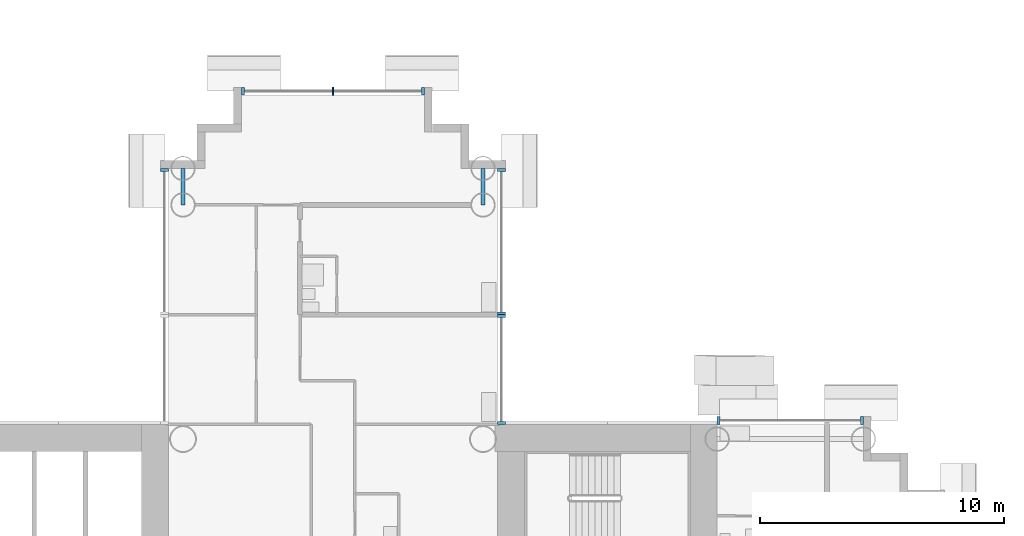
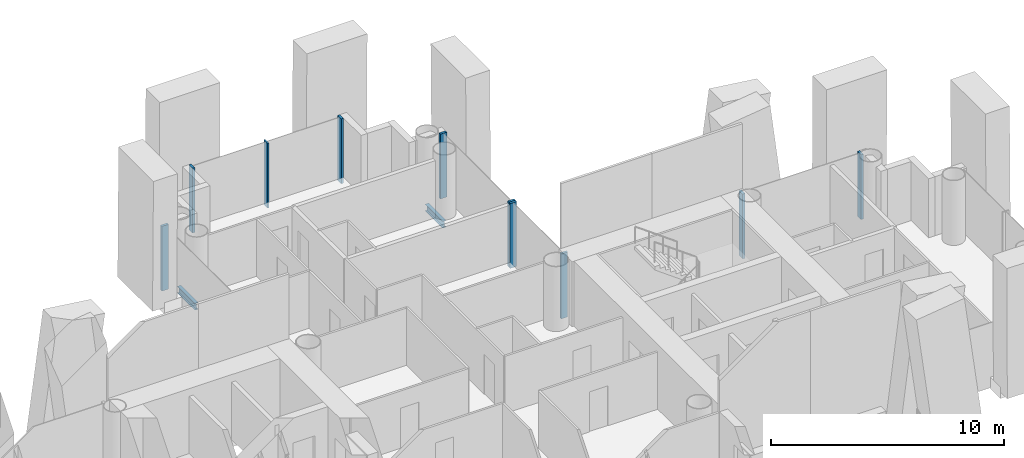
# One storey, part 5 of 23: 10 members, 2 beams, 5 elements without a shape of their own.
"""IFC4 building model written with IfcOpenShell, lengths in metres."""

from ifc_helpers import new_model, si_unit, direction, frame, origin, origin_2d, place, context, subcontext, project, spatial, rectangle, i_section, extrude, material, layer, layer_set, material_profile, profile_set, type_object, element, aggregate, save


model = new_model("IFC4")

# Units and contexts
model_context = context("Model", 3, precision=1e-05, world=origin(), true_north=direction((0.0, 1.0)))
body_context = subcontext(model_context, "Body", "Model", "MODEL_VIEW")
ifc_project = project(units=[si_unit("LENGTHUNIT", "METRE"), si_unit("AREAUNIT", "SQUARE_METRE"), si_unit("VOLUMEUNIT", "CUBIC_METRE"), si_unit("PLANEANGLEUNIT", "RADIAN"), si_unit("MASSUNIT", "GRAM", prefix="KILO")], contexts=[model_context])

# Site, building, storey
site_placement = place(None, origin())
site = spatial("IfcSite", under=ifc_project, at=site_placement, CompositionType="ELEMENT")
building_placement = place(site_placement, origin())
building = spatial("IfcBuilding", under=site, at=building_placement, Name="Ipe Terrace Towers", CompositionType="ELEMENT")
storey_placement = place(building_placement, frame((0.0, 0.0, 44.89990234375)))
storey = spatial("IfcBuildingStorey", under=building, at=storey_placement, Name="L11", CompositionType="ELEMENT", Elevation=44.89990234375)

# Beams
ifc_material_1 = material(Name="Steel S355", Category="steel")
ifc_material_profile_1 = material_profile(ifc_material_1, i_section(OverallWidth=0.175048828125, OverallDepth=0.35009765625, WebThickness=0.007080078125, FlangeThickness=0.010986328125, at=origin_2d()), Name="H-350x175x7x11")
ifc_profile_set_1 = profile_set([ifc_material_profile_1], Name="Steel S355")
beam_type = type_object("IfcBeamType", Name="H04 EDGE BEAM H-350x175x7x11", PredefinedType="BEAM", material=ifc_profile_set_1)
for number, where, z_axis, x_axis, name in (
    (1, (-29.85009765625, 15.75, -0.574951171875), (0.0, 1.0, 0.0), (-1.0, 0.0, 0.0), "Edge beam T1-EB-B03-B05"),
    (2, (-42.14990234375, 15.75, -0.574951171875), (0.0, 1.0, 0.0), (-1.0, 0.0, 0.0), "Edge beam T1-EB-B04-B06"),
):
    element("IfcBeam", number, at=place(storey_placement, frame(where, z_axis=z_axis, x_axis=x_axis)), inside=storey, type_object=beam_type, Name=name, PredefinedType="BEAM", context=body_context, shape_type="SweptSolid", body=[
        extrude(i_section(OverallWidth=0.175048828125, OverallDepth=0.35009765625, WebThickness=0.007080078125, FlangeThickness=0.010986328125, at=origin_2d()), origin(), (0.0, 0.0, 1.0), 1.5),
    ])

# Curtain wall, members
ifc_material_2 = material(Name="Aluminium alloy 6063-T6", Category="aluminium")
ifc_layer = layer(ifc_material_2, 0.320068359375)
ifc_layer_set = layer_set([ifc_layer], Name="TOWER UNITISED CURTAIN WALL")
curtain_wall_type = type_object("IfcCurtainWallType", Name="TOWER UNITISED CURTAIN WALL", PredefinedType="NOTDEFINED", material=ifc_layer_set)
curtain_wall_1_placement = place(storey_placement, origin())
curtain_wall_1 = element("IfcCurtainWall", 3, at=curtain_wall_1_placement, inside=storey, type_object=curtain_wall_type, Name="T1-CW-L11-30a curtain wall", PredefinedType="NOTDEFINED")
ifc_material_3 = material(Name="Aluminium alloy 6063-T6", Category="aluminium")
ifc_material_profile_2 = material_profile(ifc_material_3, rectangle(XDim=0.320068359375, YDim=0.1201171875, at=origin_2d()), Name="TOWER UNITISED CORNER MULLION 320 x 120")
ifc_profile_set_2 = profile_set([ifc_material_profile_2], Name="Aluminium alloy 6063-T6")
member_type_1 = type_object("IfcMemberType", Name="TOWER UNITISED CORNER MULLION 320 x 120", PredefinedType="MULLION", material=ifc_profile_set_2)
member_1_placement = place(storey_placement, frame((-14.31005859375, 6.909912109375, -0.2998046875), z_axis=(0.0, 0.0, 1.0), x_axis=(0.0, 1.0, 0.0)))
member_1 = element("IfcMember", 4, at=member_1_placement, type_object=member_type_1, Name="T1-CW-L11-30a mullion 1", PredefinedType="MULLION", context=body_context, shape_type="SweptSolid", body=[
    extrude(rectangle(XDim=0.320068359375, YDim=0.1201171875, at=origin_2d()), origin(), (0.0, 0.0, 1.0), 3.39990234375),
])
member_2_placement = place(storey_placement, frame((-20.18896484375, 6.909912109375, -0.2998046875), z_axis=(0.0, 0.0, 1.0), x_axis=(0.0, 1.0, 0.0)))
member_2 = element("IfcMember", 5, at=member_2_placement, type_object=member_type_1, Name="T1-CW-L11-30a mullion 2", PredefinedType="MULLION", context=body_context, shape_type="SweptSolid", body=[
    extrude(rectangle(XDim=0.320068359375, YDim=0.1201171875, at=origin_2d()), origin(), (0.0, 0.0, 1.0), 3.39990234375),
])
aggregate(curtain_wall_1, [member_1, member_2])

curtain_wall_2_placement = place(storey_placement, origin())
curtain_wall_2 = element("IfcCurtainWall", 6, at=curtain_wall_2_placement, inside=storey, type_object=curtain_wall_type, Name="T1-CW-L11-32a curtain wall", PredefinedType="NOTDEFINED")
member_3_placement = place(storey_placement, frame((-29.090087890625, 6.81005859375, -0.2998046875), z_axis=(0.0, 0.0, 1.0), x_axis=(1.0, 0.0, 0.0)))
member_3 = element("IfcMember", 7, at=member_3_placement, type_object=member_type_1, Name="T1-CW-L11-32a mullion 1", PredefinedType="MULLION", context=body_context, shape_type="SweptSolid", body=[
    extrude(rectangle(XDim=0.320068359375, YDim=0.1201171875, at=origin_2d()), origin(), (0.0, 0.0, 1.0), 3.39990234375),
])
member_4_placement = place(storey_placement, frame((-29.090087890625, 11.18994140625, -0.2998046875), z_axis=(0.0, 0.0, 1.0), x_axis=(1.0, 0.0, 0.0)))
member_4 = element("IfcMember", 8, at=member_4_placement, type_object=member_type_1, Name="T1-CW-L11-32a mullion 2", PredefinedType="MULLION", context=body_context, shape_type="SweptSolid", body=[
    extrude(rectangle(XDim=0.320068359375, YDim=0.1201171875, at=origin_2d()), origin(), (0.0, 0.0, 1.0), 3.39990234375),
])
aggregate(curtain_wall_2, [member_3, member_4])

curtain_wall_3_placement = place(storey_placement, origin())
curtain_wall_3 = element("IfcCurtainWall", 9, at=curtain_wall_3_placement, inside=storey, type_object=curtain_wall_type, Name="T1-CW-L11-33a curtain wall", PredefinedType="NOTDEFINED")
member_5_placement = place(storey_placement, frame((-29.090087890625, 11.31005859375, -0.2998046875), z_axis=(0.0, 0.0, 1.0), x_axis=(1.0, 0.0, 0.0)))
member_5 = element("IfcMember", 10, at=member_5_placement, type_object=member_type_1, Name="T1-CW-L11-33a mullion 1", PredefinedType="MULLION", context=body_context, shape_type="SweptSolid", body=[
    extrude(rectangle(XDim=0.320068359375, YDim=0.1201171875, at=origin_2d()), origin(), (0.0, 0.0, 1.0), 3.39990234375),
])
member_6_placement = place(storey_placement, frame((-29.090087890625, 17.18994140625, -0.2998046875), z_axis=(0.0, 0.0, 1.0), x_axis=(1.0, 0.0, 0.0)))
member_6 = element("IfcMember", 11, at=member_6_placement, type_object=member_type_1, Name="T1-CW-L11-33a mullion 2", PredefinedType="MULLION", context=body_context, shape_type="SweptSolid", body=[
    extrude(rectangle(XDim=0.320068359375, YDim=0.1201171875, at=origin_2d()), origin(), (0.0, 0.0, 1.0), 3.39990234375),
])
aggregate(curtain_wall_3, [member_5, member_6])

curtain_wall_4_placement = place(storey_placement, origin())
curtain_wall_4 = element("IfcCurtainWall", 12, at=curtain_wall_4_placement, inside=storey, type_object=curtain_wall_type, Name="T1-CW-L11-38a curtain wall", PredefinedType="NOTDEFINED")
member_7_placement = place(storey_placement, frame((-32.31005859375, 20.409912109375, -0.2998046875), z_axis=(0.0, 0.0, 1.0), x_axis=(0.0, 1.0, 0.0)))
member_7 = element("IfcMember", 13, at=member_7_placement, type_object=member_type_1, Name="T1-CW-L11-38a mullion 1", PredefinedType="MULLION", context=body_context, shape_type="SweptSolid", body=[
    extrude(rectangle(XDim=0.320068359375, YDim=0.1201171875, at=origin_2d()), origin(), (0.0, 0.0, 1.0), 3.39990234375),
])
member_8_placement = place(storey_placement, frame((-39.68994140625, 20.409912109375, -0.2998046875), z_axis=(0.0, 0.0, 1.0), x_axis=(0.0, 1.0, 0.0)))
member_8 = element("IfcMember", 14, at=member_8_placement, type_object=member_type_1, Name="T1-CW-L11-38a mullion 3", PredefinedType="MULLION", context=body_context, shape_type="SweptSolid", body=[
    extrude(rectangle(XDim=0.320068359375, YDim=0.1201171875, at=origin_2d()), origin(), (0.0, 0.0, 1.0), 3.39990234375),
])

# Curtain wall, member
curtain_wall_5_placement = place(storey_placement, origin())
curtain_wall_5 = element("IfcCurtainWall", 15, at=curtain_wall_5_placement, inside=storey, type_object=curtain_wall_type, Name="T1-CW-L11-43a curtain wall", PredefinedType="NOTDEFINED")
member_9_placement = place(storey_placement, frame((-42.909912109375, 17.18994140625, -0.2998046875), z_axis=(0.0, 0.0, 1.0), x_axis=(-1.0, 0.0, 0.0)))
member_9 = element("IfcMember", 16, at=member_9_placement, type_object=member_type_1, Name="T1-CW-L11-43a mullion 1", PredefinedType="MULLION", context=body_context, shape_type="SweptSolid", body=[
    extrude(rectangle(XDim=0.320068359375, YDim=0.1201171875, at=origin_2d()), origin(), (0.0, 0.0, 1.0), 3.39990234375),
])
aggregate(curtain_wall_5, [member_9])

# Member
ifc_material_4 = material(Name="Aluminium alloy 6063-T6", Category="aluminium")
ifc_material_profile_3 = material_profile(ifc_material_4, rectangle(XDim=0.320068359375, YDim=0.06494140625, at=origin_2d()), Name="TOWER UNITISED MULLION 320 x 65")
ifc_profile_set_3 = profile_set([ifc_material_profile_3], Name="Aluminium alloy 6063-T6")
member_type_2 = type_object("IfcMemberType", Name="TOWER UNITISED MULLION 320 x 65", PredefinedType="MULLION", material=ifc_profile_set_3)
member_10_placement = place(storey_placement, frame((-36.0, 20.409912109375, -0.2998046875), z_axis=(0.0, 0.0, 1.0), x_axis=(0.0, 1.0, 0.0)))
member_10 = element("IfcMember", 17, at=member_10_placement, type_object=member_type_2, Name="T1-CW-L11-38a mullion 2", PredefinedType="MULLION", context=body_context, shape_type="SweptSolid", body=[
    extrude(rectangle(XDim=0.320068359375, YDim=0.06494140625, at=origin_2d()), origin(), (0.0, 0.0, 1.0), 3.39990234375),
])

aggregate(curtain_wall_4, [member_7, member_10, member_8])

save(model, "model.ifc")
